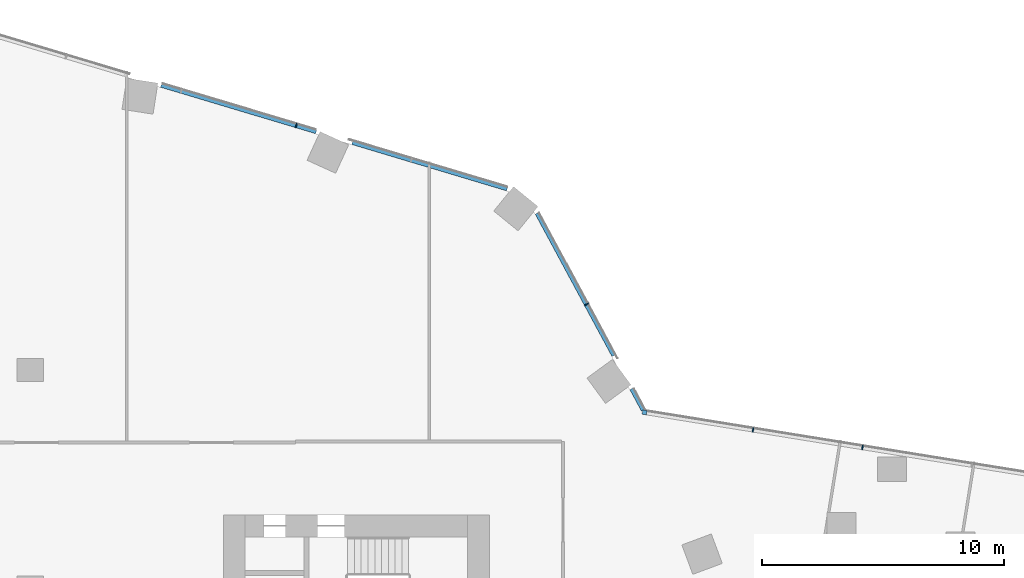
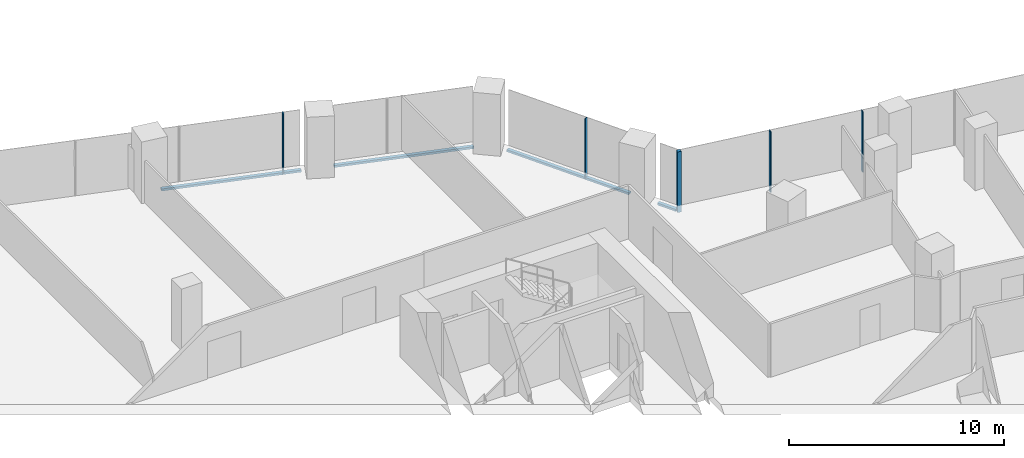
# One storey, part 13 of 34: 9 members, 3 elements without a shape of their own.
"""IFC4 building model written with IfcOpenShell, lengths in metres."""

from ifc_helpers import new_model, si_unit, direction, frame, origin, origin_2d, place, context, subcontext, project, spatial, rectangle, extrude, material, material_profile, profile_set, type_object, element, aggregate, save


model = new_model("IFC4")

# Units and contexts
model_context = context("Model", 3, precision=1e-05, world=origin(), true_north=direction((0.0, 1.0)))
body_context = subcontext(model_context, "Body", "Model", "MODEL_VIEW")
ifc_project = project(units=[si_unit("LENGTHUNIT", "METRE"), si_unit("AREAUNIT", "SQUARE_METRE"), si_unit("VOLUMEUNIT", "CUBIC_METRE"), si_unit("PLANEANGLEUNIT", "RADIAN"), si_unit("MASSUNIT", "GRAM", prefix="KILO")], contexts=[model_context])

# Site, building, storey
site_placement = place(None, origin())
site = spatial("IfcSite", under=ifc_project, at=site_placement, CompositionType="ELEMENT")
building_placement = place(site_placement, origin())
building = spatial("IfcBuilding", under=site, at=building_placement, Name="Orlundy Tower", CompositionType="ELEMENT")
storey_placement = place(building_placement, frame((0.0, 0.0, 134.199951171875)))
storey = spatial("IfcBuildingStorey", under=building, at=storey_placement, Name="L34", CompositionType="ELEMENT", Elevation=134.199951171875)

# Curtain wall, member
ifc_material_1 = material(Name="Aluminium bronze anodised", Category="aluminium")
curtain_wall_type = type_object("IfcCurtainWallType", Name="CW1 wall", PredefinedType="NOTDEFINED", material=ifc_material_1)
curtain_wall_1_placement = place(storey_placement, origin())
curtain_wall_1 = element("IfcCurtainWall", 1, at=curtain_wall_1_placement, inside=storey, type_object=curtain_wall_type, Name="CW1 run 06", PredefinedType="NOTDEFINED")
ifc_material_2 = material(Name="Aluminium bronze anodised", Category="aluminium")
ifc_material_profile_1 = material_profile(ifc_material_2, rectangle(XDim=0.179931640625, YDim=0.179931640625, at=origin_2d()), Name="CW1 corner post 180x180")
ifc_profile_set_1 = profile_set([ifc_material_profile_1], Name="Aluminium bronze anodised")
member_type_1 = type_object("IfcMemberType", Name="CW1 corner post 180x180", PredefinedType="MULLION", material=ifc_profile_set_1)
member_1_placement = place(storey_placement, frame((25.425048828125, 16.246826171875, -0.39990234375), z_axis=(0.0, 0.0, 1.0), x_axis=(0.159302095871, 0.987229883184, 0.0)))
member_1 = element("IfcMember", 2, at=member_1_placement, type_object=member_type_1, Name="CW1 mullion 26", PredefinedType="MULLION", context=body_context, shape_type="SweptSolid", body=[
    extrude(rectangle(XDim=0.179931640625, YDim=0.179931640625, at=origin_2d()), origin(), (0.0, 0.0, 1.0), 3.449951171875),
])

curtain_wall_2_placement = place(storey_placement, origin())
curtain_wall_2 = element("IfcCurtainWall", 3, at=curtain_wall_2_placement, inside=storey, type_object=curtain_wall_type, Name="CW1 run 04", PredefinedType="NOTDEFINED")
ifc_material_3 = material(Name="Aluminium bronze anodised", Category="aluminium")
ifc_material_profile_2 = material_profile(ifc_material_3, rectangle(XDim=0.179931640625, YDim=0.050048828125, at=origin_2d()), Name="CW1 mullion 50x180")
ifc_profile_set_2 = profile_set([ifc_material_profile_2], Name="Aluminium bronze anodised")
member_type_2 = type_object("IfcMemberType", Name="CW1 mullion 50x180", PredefinedType="MULLION", material=ifc_profile_set_2)
member_2_placement = place(storey_placement, frame((11.010498046875, 28.113525390625, -0.39990234375), z_axis=(0.0, 0.0, 1.0), x_axis=(0.286816257107, 0.957985612971, 0.0)))
member_2 = element("IfcMember", 4, at=member_2_placement, type_object=member_type_2, Name="CW1 mullion 22", PredefinedType="MULLION", context=body_context, shape_type="SweptSolid", body=[
    extrude(rectangle(XDim=0.179931640625, YDim=0.050048828125, at=origin_2d()), origin(), (0.0, 0.0, 1.0), 3.449951171875),
])

curtain_wall_3_placement = place(storey_placement, origin())
curtain_wall_3 = element("IfcCurtainWall", 5, at=curtain_wall_3_placement, inside=storey, type_object=curtain_wall_type, Name="CW1 run 05", PredefinedType="NOTDEFINED")
member_3_placement = place(storey_placement, frame((23.0166015625, 20.713134765625, -0.39990234375), z_axis=(0.0, 0.0, 1.0), x_axis=(0.880188659482, 0.4746239814, 0.0)))
member_3 = element("IfcMember", 6, at=member_3_placement, type_object=member_type_2, Name="CW1 mullion 25", PredefinedType="MULLION", context=body_context, shape_type="SweptSolid", body=[
    extrude(rectangle(XDim=0.179931640625, YDim=0.050048828125, at=origin_2d()), origin(), (0.0, 0.0, 1.0), 3.449951171875),
])

# Member
member_4_placement = place(storey_placement, frame((29.91162109375, 15.52294921875, -0.39990234375), z_axis=(0.0, 0.0, 1.0), x_axis=(0.159302095871, 0.987229883184, 0.0)))
member_4 = element("IfcMember", 7, at=member_4_placement, type_object=member_type_2, Name="CW1 mullion 27", PredefinedType="MULLION", context=body_context, shape_type="SweptSolid", body=[
    extrude(rectangle(XDim=0.179931640625, YDim=0.050048828125, at=origin_2d()), origin(), (0.0, 0.0, 1.0), 3.449951171875),
])

member_5_placement = place(storey_placement, frame((34.441650390625, 14.791748046875, -0.39990234375), z_axis=(0.0, 0.0, 1.0), x_axis=(0.159302095871, 0.987229883184, 0.0)))
member_5 = element("IfcMember", 8, at=member_5_placement, type_object=member_type_2, Name="CW1 mullion 28", PredefinedType="MULLION", context=body_context, shape_type="SweptSolid", body=[
    extrude(rectangle(XDim=0.179931640625, YDim=0.050048828125, at=origin_2d()), origin(), (0.0, 0.0, 1.0), 3.449951171875),
])

aggregate(curtain_wall_1, [member_1, member_4, member_5])

ifc_material_4 = material(Name="Aluminium bronze anodised", Category="aluminium")
ifc_material_profile_3 = material_profile(ifc_material_4, rectangle(XDim=0.179931640625, YDim=0.1201171875, at=origin_2d()), Name="CW1 transom 180x120")
ifc_profile_set_3 = profile_set([ifc_material_profile_3], Name="Aluminium bronze anodised")
member_type_3 = type_object("IfcMemberType", Name="CW1 transom 180x120", PredefinedType="USERDEFINED", material=ifc_profile_set_3)
member_6_placement = place(storey_placement, frame((5.42333984375, 29.7861328125, -0.33984375), z_axis=(0.957990744373, -0.28679911732, 0.0), x_axis=(0.28679911732, 0.957990744373, 0.0)))
member_6 = element("IfcMember", 9, at=member_6_placement, type_object=member_type_3, Name="CW1 transom", ObjectType="TRANSOM", PredefinedType="USERDEFINED", context=body_context, shape_type="SweptSolid", body=[
    extrude(rectangle(XDim=0.179931640625, YDim=0.1201171875, at=origin_2d()), origin(), (0.0, 0.0, 1.0), 6.6943359375),
])

member_7_placement = place(storey_placement, frame((13.3359375, 27.417236328125, -0.33984375), z_axis=(0.957985946762, -0.28681514222, 0.0), x_axis=(0.28681514222, 0.957985946762, 0.0)))
member_7 = element("IfcMember", 10, at=member_7_placement, type_object=member_type_3, Name="CW1 transom", ObjectType="TRANSOM", PredefinedType="USERDEFINED", context=body_context, shape_type="SweptSolid", body=[
    extrude(rectangle(XDim=0.179931640625, YDim=0.1201171875, at=origin_2d()), origin(), (0.0, 0.0, 1.0), 6.685302734375),
])

aggregate(curtain_wall_2, [member_2, member_6, member_7])

member_8_placement = place(storey_placement, frame((20.980712890625, 24.489013671875, -0.33984375), z_axis=(0.474619880398, -0.880190870852, 0.0), x_axis=(0.880190870852, 0.474619880398, 0.0)))
member_8 = element("IfcMember", 11, at=member_8_placement, type_object=member_type_3, Name="CW1 transom", ObjectType="TRANSOM", PredefinedType="USERDEFINED", context=body_context, shape_type="SweptSolid", body=[
    extrude(rectangle(XDim=0.179931640625, YDim=0.1201171875, at=origin_2d()), origin(), (0.0, 0.0, 1.0), 6.689697265625),
])

member_9_placement = place(storey_placement, frame((24.896728515625, 17.226806640625, -0.33984375), z_axis=(0.474638444539, -0.880180860372, 0.0), x_axis=(0.880180860372, 0.474638444539, 0.0)))
member_9 = element("IfcMember", 12, at=member_9_placement, type_object=member_type_3, Name="CW1 transom", ObjectType="TRANSOM", PredefinedType="USERDEFINED", context=body_context, shape_type="SweptSolid", body=[
    extrude(rectangle(XDim=0.179931640625, YDim=0.1201171875, at=origin_2d()), origin(), (0.0, 0.0, 1.0), 1.0),
])

aggregate(curtain_wall_3, [member_3, member_8, member_9])

save(model, "model.ifc")
